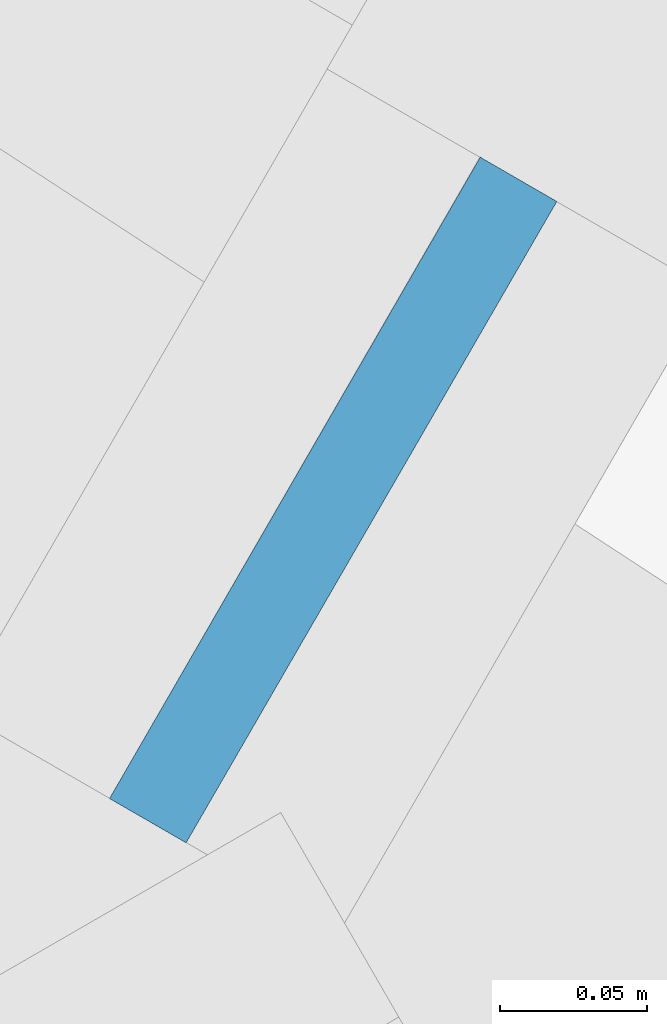
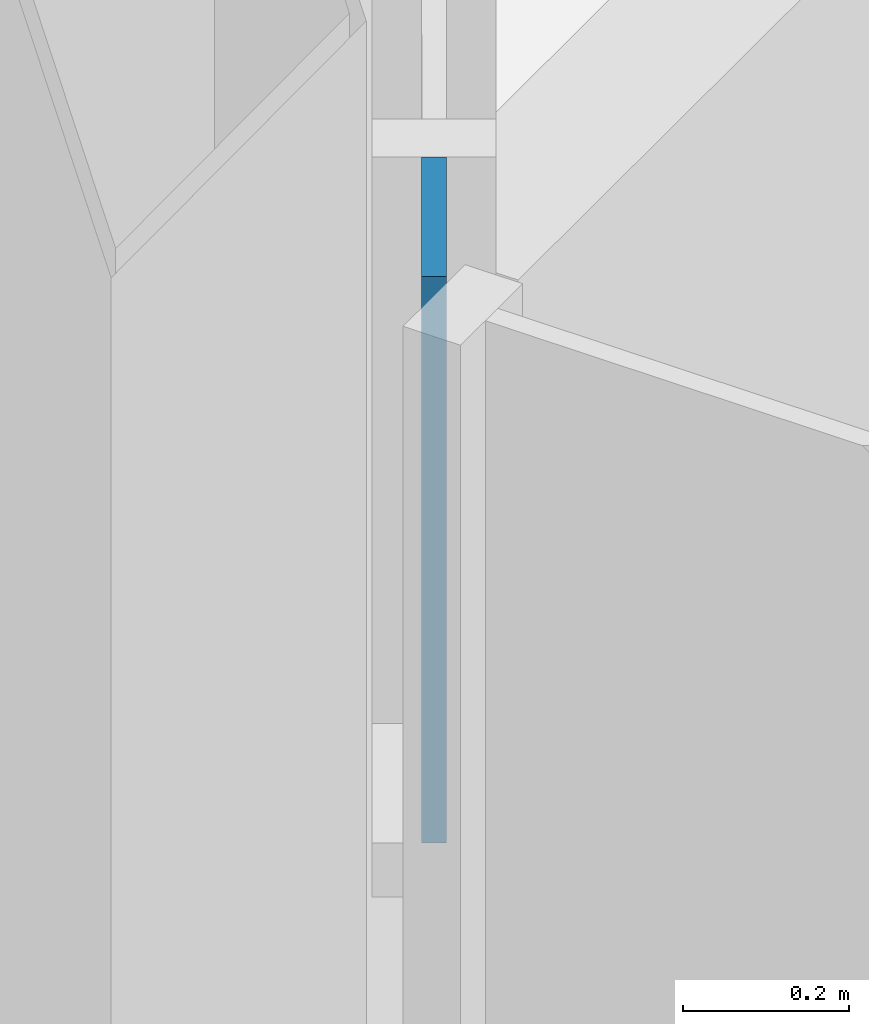
# One storey, part 16 of 24: 1 plate, 1 element without a shape of its own.
"""IFC4 building model written with IfcOpenShell, lengths in metres."""

from ifc_helpers import new_model, si_unit, direction, frame, origin, place, context, subcontext, project, spatial, polyline, outline, extrude, material, layer, layer_set, type_object, element, aggregate, save


model = new_model("IFC4")

# Units and contexts
model_context = context("Model", 3, precision=1e-05, world=origin(), true_north=direction((0.0, 1.0)))
body_context = subcontext(model_context, "Body", "Model", "MODEL_VIEW")
ifc_project = project(units=[si_unit("LENGTHUNIT", "METRE"), si_unit("AREAUNIT", "SQUARE_METRE"), si_unit("VOLUMEUNIT", "CUBIC_METRE"), si_unit("PLANEANGLEUNIT", "RADIAN"), si_unit("MASSUNIT", "GRAM", prefix="KILO")], contexts=[model_context])

# Site, building, storey
site_placement = place(None, origin())
site = spatial("IfcSite", under=ifc_project, at=site_placement, CompositionType="ELEMENT")
building_placement = place(site_placement, origin())
building = spatial("IfcBuilding", under=site, at=building_placement, Name="Firuza Gate Tower and Library", CompositionType="ELEMENT")
storey_placement = place(building_placement, frame((0.0, 0.0, 323.10009765625)))
storey = spatial("IfcBuildingStorey", under=building, at=storey_placement, Name="L79", CompositionType="ELEMENT", Elevation=323.10009765625)

# Curtain wall, plate
ifc_material_1 = material(Name="Aluminium 6063-T6", Category="aluminium")
ifc_layer_1 = layer(ifc_material_1, 0.14990234375)
ifc_layer_set_1 = layer_set([ifc_layer_1], Name="Unitised curtain wall, residences")
curtain_wall_type = type_object("IfcCurtainWallType", Name="Unitised curtain wall, residences", PredefinedType="NOTDEFINED", material=ifc_layer_set_1)
curtain_wall_placement = place(storey_placement, origin())
curtain_wall = element("IfcCurtainWall", 1, at=curtain_wall_placement, inside=storey, type_object=curtain_wall_type, Name="CW3 L79 W face", PredefinedType="NOTDEFINED")
ifc_material_2 = material(Name="Glazed ceramic tile")
ifc_layer_2 = layer(ifc_material_2, 0.030029296875)
ifc_layer_set_2 = layer_set([ifc_layer_2], Name="Opaque ceramic panel, residences")
plate_type = type_object("IfcPlateType", Name="Opaque ceramic panel, residences", PredefinedType="CURTAIN_PANEL", material=ifc_layer_set_2)
plate_placement = place(storey_placement, frame((51.342041015625, 65.731201171875, 2.364990234375), z_axis=(-0.865780878536, 0.500423291185, 0.0), x_axis=(-0.500423291185, -0.865780878536, 0.0)))
plate = element("IfcPlate", 2, at=plate_placement, type_object=plate_type, Name="Opaque ceramic panel", PredefinedType="CURTAIN_PANEL", context=body_context, shape_type="SweptSolid", body=[
    extrude(outline(polyline([(0.0, 0.0), (0.2512521381192305, 0.0), (0.2512521381192305, 0.8349609375), (0.0, 0.8349609375), (0.0, 0.0)])), origin(), (0.0, 0.0, -1.0), 0.030029296875),
])
aggregate(curtain_wall, [plate])

save(model, "model.ifc")
